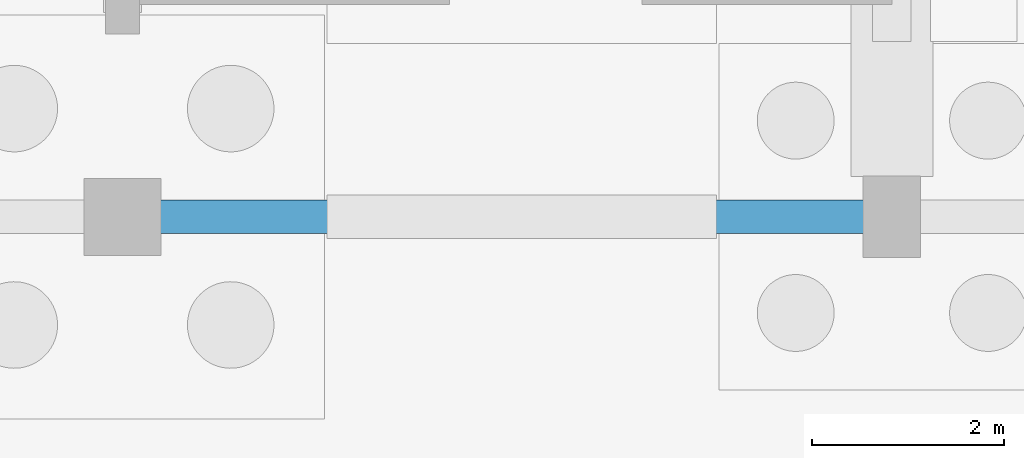
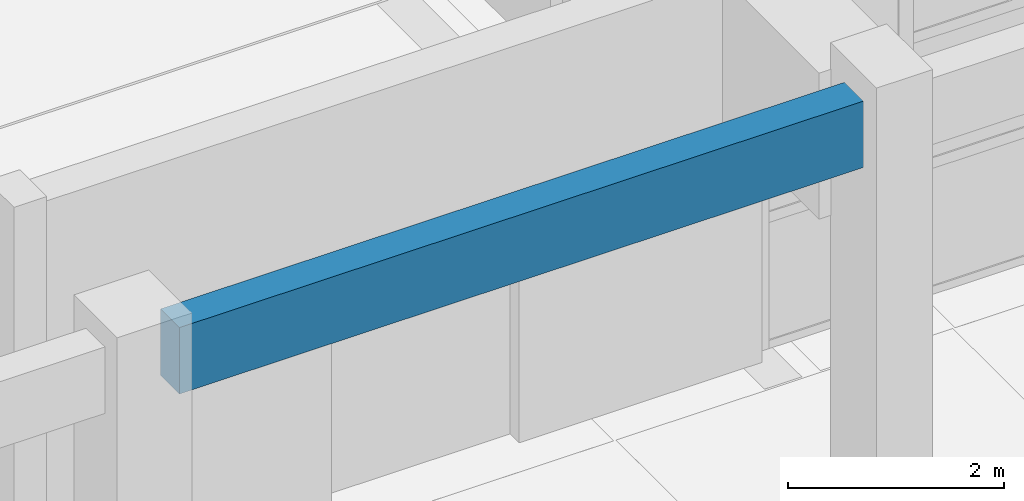
# One storey, part 17 of 68: 1 beam.
"""IFC4 building model written with IfcOpenShell, lengths in metres."""

from ifc_helpers import new_model, si_unit, direction, frame, origin, origin_2d, place, context, subcontext, project, spatial, rectangle, extrude, material, material_profile, profile_set, type_object, element, save


model = new_model("IFC4")

# Units and contexts
model_context = context("Model", 3, precision=1e-05, world=origin(), true_north=direction((0.0, 1.0)))
body_context = subcontext(model_context, "Body", "Model", "MODEL_VIEW")
ifc_project = project(units=[si_unit("LENGTHUNIT", "METRE"), si_unit("AREAUNIT", "SQUARE_METRE"), si_unit("VOLUMEUNIT", "CUBIC_METRE"), si_unit("PLANEANGLEUNIT", "RADIAN"), si_unit("MASSUNIT", "GRAM", prefix="KILO")], contexts=[model_context])

# Site, building, storey
site_placement = place(None, origin())
site = spatial("IfcSite", under=ifc_project, at=site_placement, CompositionType="ELEMENT")
building_placement = place(site_placement, origin())
building = spatial("IfcBuilding", under=site, at=building_placement, Name="Serraluz Foothill Cableway Terminal", CompositionType="ELEMENT")
storey_placement = place(building_placement, origin())
storey = spatial("IfcBuildingStorey", under=building, at=storey_placement, Name="L00", CompositionType="ELEMENT", Elevation=0.0)

# Beam
ifc_material = material(Name="Precast concrete C40/50", Category="concrete")
ifc_material_profile = material_profile(ifc_material, rectangle(XDim=0.35009765625, YDim=0.75, at=origin_2d()), Name="RC SP 350x750")
ifc_profile_set = profile_set([ifc_material_profile], Name="Precast concrete C40/50")
beam_type = type_object("IfcBeamType", Name="TYP-SP-RC350X750", PredefinedType="SPANDREL", material=ifc_profile_set)
beam_placement = place(storey_placement, frame((56.39599609375, 56.0, 4.125), z_axis=(1.0, 0.0, 0.0), x_axis=(0.0, 1.0, 0.0)))
element("IfcBeam", 1, at=beam_placement, inside=storey, type_object=beam_type, Name="Primary Girder BM-X-L00-0063", PredefinedType="SPANDREL", context=body_context, shape_type="SweptSolid", body=[
    extrude(rectangle(XDim=0.35009765625, YDim=0.75, at=origin_2d()), origin(), (0.0, 0.0, 1.0), 7.30810546875),
])

save(model, "model.ifc")
